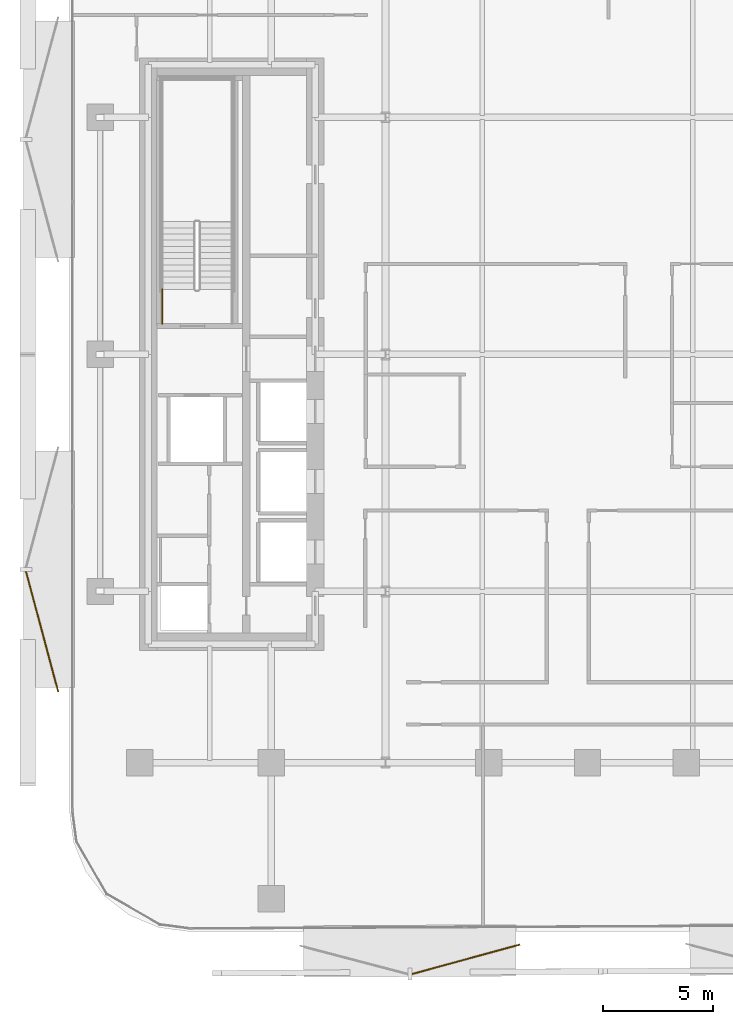
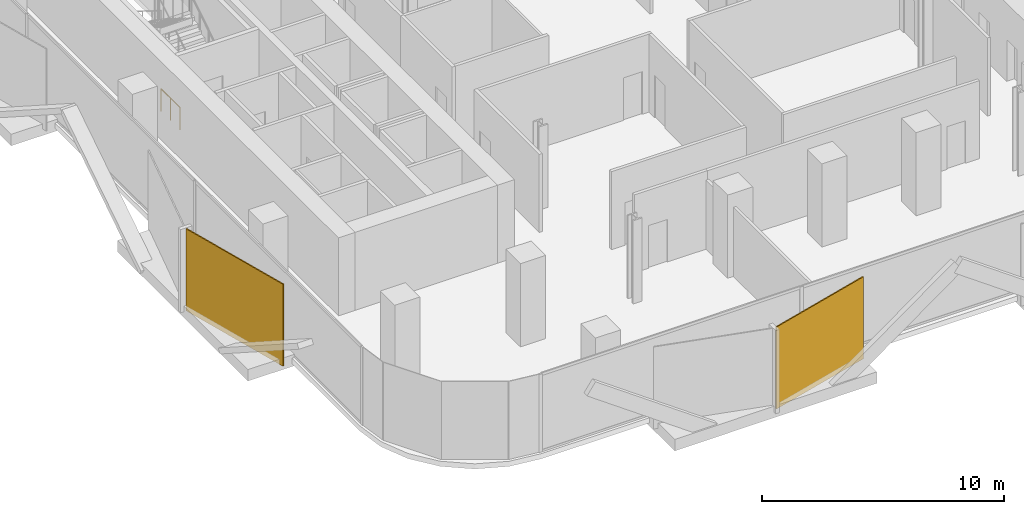
# One storey, part 11 of 15: 2 coverings, 1 railing.
"""IFC4 building model written with IfcOpenShell, lengths in metres."""

import ifcopenshell
import ifcopenshell.guid

model = None  # the IFC model being written
_history = None  # IfcOwnerHistory: only IFC2X3 demands one
_inside = {}  # id of a spatial element -> (the spatial element, [elements in it])
_under = {}  # id of a project, library or spatial element -> (it, [spatial elements below it])
_declared = {}  # id of a project -> (the project, [libraries it declares])
_typed = {}  # id of a type object -> (the type object, [elements of that type])
_made_of = {}  # id of a material, layer set ... -> (it, [elements and type objects made of it])


def new_model(schema):
    """Start an empty IFC model of exactly this schema.

    Asked for "IFC4X3", IfcOpenShell would pick the latest addendum, in which some entities
    have other attributes; the version numbers below select the first issue.
    IFC2X3 requires an IfcOwnerHistory on every rooted entity: one is made here for all.
    """
    global model, _history
    if schema == "IFC4X3":
        model = ifcopenshell.file(schema_version=(4, 3, 0, 0))
    else:
        model = ifcopenshell.file(schema=schema)
    _inside.clear()
    _under.clear()
    _declared.clear()
    _typed.clear()
    _made_of.clear()
    _history = None
    if model.schema == "IFC2X3":
        org = make("IfcOrganization", Name="unknown")
        user = make(
            "IfcPersonAndOrganization",
            ThePerson=make("IfcPerson", FamilyName="unknown"),
            TheOrganization=org,
        )
        app = make(
            "IfcApplication",
            ApplicationDeveloper=org,
            Version="unknown",
            ApplicationFullName="unknown",
            ApplicationIdentifier="unknown",
        )
        _history = make(
            "IfcOwnerHistory",
            OwningUser=user,
            OwningApplication=app,
            ChangeAction="ADDED",
            CreationDate=0,
        )
    return model


def make(cls, **values):
    """One entity of the class cls with the attributes given. An attribute that is None is left unset."""
    return model.create_entity(
        cls, **{name: value for name, value in values.items() if value is not None}
    )


def rooted(cls, **values):
    """An entity with a GlobalId (a new one), such as an element, a storey or a relation."""
    return make(cls, GlobalId=ifcopenshell.guid.new(), OwnerHistory=_history, **values)


def si_unit(unit_type, name, prefix=None):
    """IfcSIUnit, for example si_unit("LENGTHUNIT", "METRE", prefix="MILLI")."""
    return make("IfcSIUnit", UnitType=unit_type, Prefix=prefix, Name=name)


def assignment(units):
    """IfcUnitAssignment: the units of a project."""
    return None if units is None else make("IfcUnitAssignment", Units=units)


def point(xyz):
    """IfcCartesianPoint."""
    return None if xyz is None else make("IfcCartesianPoint", Coordinates=xyz)


def direction(xyz):
    """IfcDirection."""
    return None if xyz is None else make("IfcDirection", DirectionRatios=xyz)


def frame(location, z_axis=None, x_axis=None):
    """IfcAxis2Placement3D, a coordinate frame: its origin and axes. An axis left out is left unset."""
    return make(
        "IfcAxis2Placement3D",
        Location=point(location),
        Axis=direction(z_axis),
        RefDirection=direction(x_axis),
    )


def frame_2d(location, x_axis=None):
    """IfcAxis2Placement2D, a coordinate frame in the plane: its origin and x axis."""
    return make(
        "IfcAxis2Placement2D", Location=point(location), RefDirection=direction(x_axis)
    )


def origin():
    """The frame at (0, 0, 0) with its axes left unset."""
    return frame((0.0, 0.0, 0.0))


def origin_2d():
    """The frame at (0, 0) in the plane with its x axis left unset."""
    return frame_2d((0.0, 0.0))


def place(relative_to, where):
    """IfcLocalPlacement: puts the frame where relative to a parent placement (None: the world)."""
    return make(
        "IfcLocalPlacement", PlacementRelTo=relative_to, RelativePlacement=where
    )


def context(
    kind, dimensions, precision=None, world=None, true_north=None, identifier=None
):
    """IfcGeometricRepresentationContext, for example the 3D "Model" context."""
    return make(
        "IfcGeometricRepresentationContext",
        ContextIdentifier=identifier,
        ContextType=kind,
        CoordinateSpaceDimension=dimensions,
        Precision=precision,
        WorldCoordinateSystem=world,
        TrueNorth=true_north,
    )


def subcontext(parent, identifier, kind, view, scale=None):
    """IfcGeometricRepresentationSubContext, for example "Body" below "Model"."""
    return make(
        "IfcGeometricRepresentationSubContext",
        ContextIdentifier=identifier,
        ContextType=kind,
        ParentContext=parent,
        TargetScale=scale,
        TargetView=view,
    )


def project(units=None, contexts=None):
    """IfcProject with its units and contexts."""
    return rooted(
        "IfcProject",
        Name="project",
        RepresentationContexts=contexts,
        UnitsInContext=assignment(units),
    )


def spatial(cls, under=None, at=None, **own):
    """A site, building, storey or space (cls), placed at a placement, below another one or the project."""
    s = rooted(cls, ObjectPlacement=at, **own)
    if under is not None:
        _under.setdefault(under.id(), (under, []))[1].append(s)
    return s


def profile(cls, at=None, kind="AREA", **sizes):
    """A parametric profile (cls). Its sizes go by their IFC names, for example OverallWidth=200.0."""
    return make(cls, ProfileType=kind, Position=at, **sizes)


def rectangle(**sizes):
    """IfcRectangleProfileDef."""
    return profile("IfcRectangleProfileDef", **sizes)


def circle(**sizes):
    """IfcCircleProfileDef."""
    return profile("IfcCircleProfileDef", **sizes)


def extrude(swept, where, along, depth):
    """IfcExtrudedAreaSolid: the profile swept, set in the frame where, extruded along a direction by depth."""
    return make(
        "IfcExtrudedAreaSolid",
        SweptArea=swept,
        Position=where,
        ExtrudedDirection=direction(along),
        Depth=depth,
    )


def shape(context_of_items, identifier, shape_type, items):
    """IfcShapeRepresentation: the items that make up one representation, for example the "Body"."""
    return make(
        "IfcShapeRepresentation",
        ContextOfItems=context_of_items,
        RepresentationIdentifier=identifier,
        RepresentationType=shape_type,
        Items=items,
    )


def material(Name=None, Category=None):
    """IfcMaterial."""
    return make("IfcMaterial", Name=Name, Category=Category)


def layer(
    of_material, thickness, ventilated=None, Name=None, Category=None, Priority=None
):
    """IfcMaterialLayer: one layer of a wall or slab, of a material (None: an air gap)."""
    return make(
        "IfcMaterialLayer",
        Material=of_material,
        LayerThickness=thickness,
        IsVentilated=ventilated,
        Name=Name,
        Category=Category,
        Priority=Priority,
    )


def layer_set(layers, Name=None):
    """IfcMaterialLayerSet."""
    return make("IfcMaterialLayerSet", MaterialLayers=layers, LayerSetName=Name)


def made_of(thing, what):
    """Note that an element or type object is made of a material, layer set ...; save() writes the relation."""
    if what is not None:
        _made_of.setdefault(what.id(), (what, []))[1].append(thing)
    return thing


def type_object(cls, material=None, **own):
    """A type object (cls), such as IfcWallType, which elements share."""
    return made_of(rooted(cls, **own), material)


def element(
    cls,
    number,
    at=None,
    inside=None,
    cuts=None,
    type_object=None,
    material=None,
    context=None,
    identifier="Body",
    shape_type=None,
    held_by="IfcProductDefinitionShape",
    body=None,
    shapes=None,
    **own,
):
    """One element of the class cls, such as IfcWall. Its Tag is "e" and its number.

    at: its placement. inside: the storey or other place that contains it. cuts: it is an
    opening in that element (IfcRelVoidsElement). A single representation is given by context,
    identifier, shape_type and body (its items); several are given by shapes. held_by: the class
    of the entity that holds the representations. save() writes the other relations.
    """
    e = rooted(cls, Tag="e%d" % number, ObjectPlacement=at, **own)
    if body is not None:
        shapes = [shape(context, identifier, shape_type, body)]
    if shapes is not None:
        e.Representation = make(held_by, Representations=shapes)
    if inside is not None:
        _inside.setdefault(inside.id(), (inside, []))[1].append(e)
    if cuts is not None:
        rooted(
            "IfcRelVoidsElement", RelatingBuildingElement=cuts, RelatedOpeningElement=e
        )
    if type_object is not None:
        _typed.setdefault(type_object.id(), (type_object, []))[1].append(e)
    return made_of(e, material)


def aggregate(whole, parts):
    """IfcRelAggregates: a whole, such as a stair, and the parts it consists of."""
    return rooted("IfcRelAggregates", RelatingObject=whole, RelatedObjects=parts)


def save(model, path):
    """Write the relations noted so far, then the file.

    IfcRelAggregates (storeys below a building ...), IfcRelContainedInSpatialStructure (elements
    in a storey), IfcRelDefinesByType, IfcRelAssociatesMaterial and IfcRelDeclares: one each for
    every whole, place, type object, material and project.
    """
    for whole, parts in _under.values():
        aggregate(whole, parts)
    for where, things in _inside.values():
        rooted(
            "IfcRelContainedInSpatialStructure",
            RelatedElements=things,
            RelatingStructure=where,
        )
    for kind, things in _typed.values():
        rooted("IfcRelDefinesByType", RelatedObjects=things, RelatingType=kind)
    for what, things in _made_of.values():
        rooted("IfcRelAssociatesMaterial", RelatedObjects=things, RelatingMaterial=what)
    for by, libraries in _declared.values():
        rooted("IfcRelDeclares", RelatingContext=by, RelatedDefinitions=libraries)
    model.write(path)


model = new_model("IFC4")

# Units and contexts
model_context = context("Model", 3, precision=1e-05, world=origin(), true_north=direction((0.0, 1.0)))
body_context = subcontext(model_context, "Body", "Model", "MODEL_VIEW")
ifc_project = project(units=[si_unit("LENGTHUNIT", "METRE"), si_unit("AREAUNIT", "SQUARE_METRE"), si_unit("VOLUMEUNIT", "CUBIC_METRE"), si_unit("PLANEANGLEUNIT", "RADIAN"), si_unit("MASSUNIT", "GRAM", prefix="KILO")], contexts=[model_context])

# Site, building, storey
site_placement = place(None, origin())
site = spatial("IfcSite", under=ifc_project, at=site_placement, CompositionType="ELEMENT")
building_placement = place(site_placement, origin())
building = spatial("IfcBuilding", under=site, at=building_placement, Name="Khairoan Windgate Tower", CompositionType="ELEMENT")
storey_placement = place(building_placement, frame((0.0, 0.0, 114.199951171875)))
storey = spatial("IfcBuildingStorey", under=building, at=storey_placement, Name="L26", CompositionType="ELEMENT", Elevation=114.199951171875)

# Coverings
ifc_material_1 = material(Name="Anodised Bronze Aluminium 6063-T6", Category="aluminium")
ifc_layer = layer(ifc_material_1, 0.054931640625, Name="Anodised Bronze Aluminium 6063-T6")
ifc_layer_set = layer_set([ifc_layer], Name="Anodised Bronze Aluminium 6063-T6")
covering_type = type_object("IfcCoveringType", Name="Perforated Bronze-Ceramic Folded Solar Screen Cladding BSC-1", PredefinedType="CLADDING", material=ifc_layer_set)
covering_1_placement = place(storey_placement, frame((-5.53564453125, -27.55859375, -0.10009765625), z_axis=(0.0, 0.0, 1.0), x_axis=(-0.964649468762, -0.263536339841, 0.0)))
element("IfcCovering", 1, at=covering_1_placement, inside=storey, type_object=covering_type, Name="L26 Folded Bronze Solar Screen Facet 154L", PredefinedType="CLADDING", context=body_context, shape_type="SweptSolid", body=[
    extrude(rectangle(XDim=5.10107421875, YDim=0.054931640625, at=origin_2d()), origin(), (0.0, 0.0, 1.0), 4.139892578125),
])
covering_2_placement = place(storey_placement, frame((-24.8447265625, -12.629150390625, -0.10009765625), z_axis=(0.0, 0.0, 1.0), x_axis=(-0.258819045103, 0.965925826289, 0.0)))
element("IfcCovering", 2, at=covering_2_placement, inside=storey, type_object=covering_type, Name="L26 Folded Bronze Solar Screen Facet 155L", PredefinedType="CLADDING", context=body_context, shape_type="SweptSolid", body=[
    extrude(rectangle(XDim=5.680908203125, YDim=0.054931640625, at=origin_2d()), origin(), (0.0, 0.0, 1.0), 4.139892578125),
])

# Railing
ifc_material_2 = material(Name="Steel S355", Category="steel")
railing_type = type_object("IfcRailingType", Name="Stairwell Safety Guardrail SGR-1150", PredefinedType="GUARDRAIL", material=ifc_material_2)
railing_placement = place(storey_placement, frame((-19.3701171875, 1.39990234375, 0.0)))
element("IfcRailing", 3, at=railing_placement, inside=storey, type_object=railing_type, Name="L26 ST2 stair guard 9", PredefinedType="GUARDRAIL", context=body_context, shape_type="SweptSolid", body=[
    extrude(circle(Radius=0.02392578125, at=origin_2d()), frame((0.0, 0.0, 1.1259765625), z_axis=(0.0, 1.0, 0.0), x_axis=(-1.0, 0.0, 0.0)), (0.0, 0.0, 1.0), 1.56005859375),
    extrude(circle(Radius=0.02099609375, at=origin_2d()), origin(), (0.0, 0.0, 1.0), 1.101806640625),
    extrude(circle(Radius=0.02099609375, at=origin_2d()), frame((0.0, 0.780029296875, 0.0)), (0.0, 0.0, 1.0), 1.101806640625),
    extrude(circle(Radius=0.02099609375, at=origin_2d()), frame((0.0, 1.56005859375, 0.0)), (0.0, 0.0, 1.0), 1.101806640625),
])

save(model, "model.ifc")
